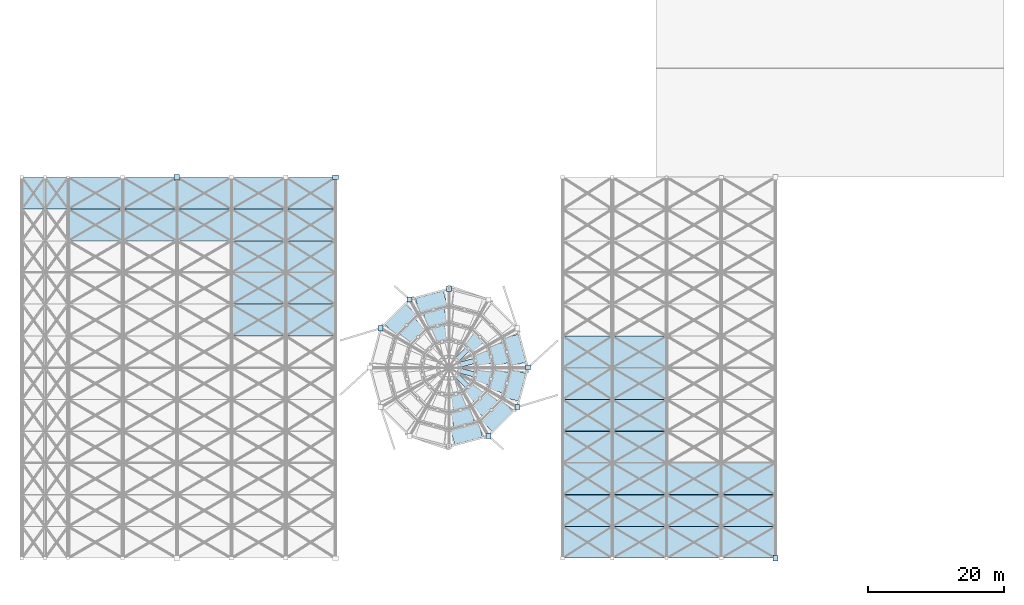
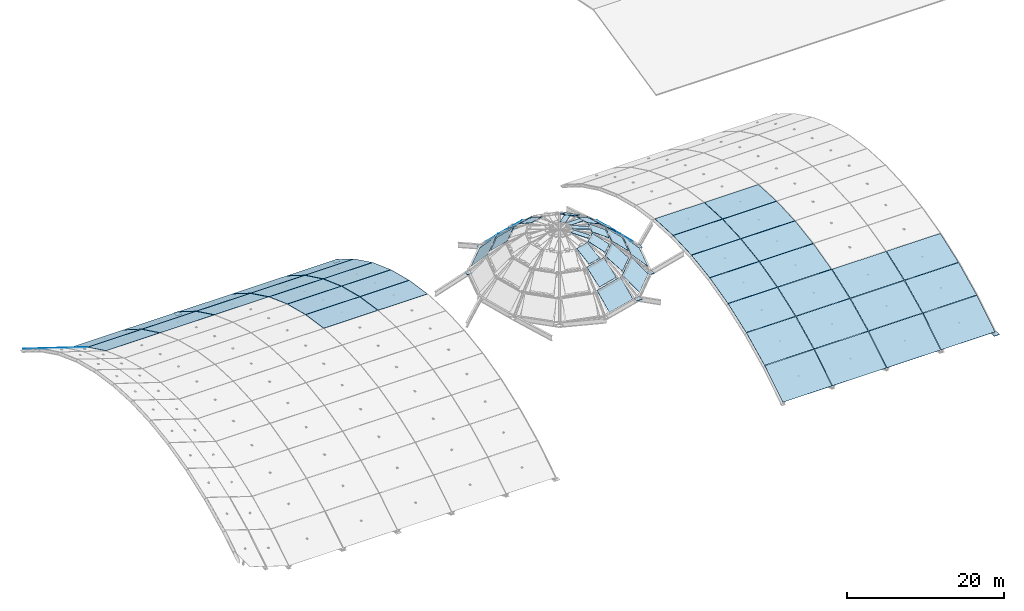
# One storey, part 13 of 21: 69 plates.
"""IFC4 building model written with IfcOpenShell, lengths in metres."""

from ifc_helpers import new_model, si_unit, direction, frame, origin, origin_2d, place, context, subcontext, project, spatial, polyline, rectangle, outline, extrude, material, layer, layer_set, type_object, element, save


model = new_model("IFC4")

# Units and contexts
model_context = context("Model", 3, precision=1e-05, world=origin(), true_north=direction((0.0, 1.0)))
body_context = subcontext(model_context, "Body", "Model", "MODEL_VIEW")
ifc_project = project(units=[si_unit("LENGTHUNIT", "METRE"), si_unit("AREAUNIT", "SQUARE_METRE"), si_unit("VOLUMEUNIT", "CUBIC_METRE"), si_unit("PLANEANGLEUNIT", "RADIAN"), si_unit("MASSUNIT", "GRAM", prefix="KILO")], contexts=[model_context])

# Site, building, storey
site_placement = place(None, origin())
site = spatial("IfcSite", under=ifc_project, at=site_placement, CompositionType="ELEMENT")
building_placement = place(site_placement, origin())
building = spatial("IfcBuilding", under=site, at=building_placement, Name="Solmirada Galleria", CompositionType="ELEMENT")
storey_placement = place(building_placement, frame((0.0, 0.0, 37.5)))
storey = spatial("IfcBuildingStorey", under=building, at=storey_placement, Name="RF", CompositionType="ELEMENT", Elevation=37.5)

# Plates
ifc_material_1 = material(Name="Steel S355 / ASTM A572 Grade 50", Category="steel")
ifc_layer_1 = layer(ifc_material_1, 0.044921875)
ifc_layer_set_1 = layer_set([ifc_layer_1], Name="Steel S355 / ASTM A572 Grade 50")
plate_type_1 = type_object("IfcPlateType", Name="PLT-DOME-SHOE", PredefinedType="SHEET", material=ifc_layer_set_1)
for number, where, z_axis, x_axis, name in (
    (1, (107.60009765625, 60.0, -0.0224609375), (0.0, 0.0, 1.0), (1.0, 0.0, 0.0), "Atrium dome ring shoe node plate 1"),
    (2, (96.0, 71.60009765625, -0.0224609375), (0.0, 0.0, 1.0), (1.0, 0.0, 0.0), "Atrium dome ring shoe node plate 4"),
    (3, (90.199951171875, 70.0458984375, -0.0224609375), (0.0, 0.0, 1.0), (1.0, 0.0, 0.0), "Atrium dome ring shoe node plate 5"),
    (4, (85.9541015625, 65.800048828125, -0.0224609375), (0.0, 0.0, 1.0), (1.0, 0.0, 0.0), "Atrium dome ring shoe node plate 6"),
    (5, (101.800048828125, 49.9541015625, -0.0224609375), (0.0, 0.0, 1.0), (1.0, 0.0, 0.0), "Atrium dome ring shoe node plate 11"),
    (6, (106.0458984375, 54.199951171875, -0.0224609375), (0.0, 0.0, 1.0), (1.0, 0.0, 0.0), "Atrium dome ring shoe node plate 12"),
):
    element("IfcPlate", number, at=place(storey_placement, frame(where, z_axis=z_axis, x_axis=x_axis)), inside=storey, type_object=plate_type_1, Name=name, PredefinedType="SHEET", context=body_context, shape_type="SweptSolid", body=[
        extrude(rectangle(XDim=0.75, YDim=0.75, at=origin_2d()), origin(), (0.0, 0.0, 1.0), 0.044921875),
    ])
ifc_material_2 = material(Name="Laminated solar-control skylight glass", Category="glass")
ifc_layer_2 = layer(ifc_material_2, 0.028076171875)
ifc_layer_set_2 = layer_set([ifc_layer_2], Name="Laminated solar-control skylight glass")
plate_type_2 = type_object("IfcPlateType", Name="PLT-DPANEL-R1", PredefinedType="SHEET", material=ifc_layer_set_2)
for number, where, z_axis, x_axis, name in (
    (7, (107.302001953125, 60.83251953125, 0.3544921875), (0.693897378358, 0.185918524218, 0.695658487091), (-0.258805124756, 0.965929556127, 0.0), "Atrium dome glass skylight panel 1.1"),
    (8, (95.16748046875, 71.302001953125, 0.3544921875), (-0.185918524218, 0.693897378358, 0.695658487091), (-0.965929556127, -0.258805124756, 0.0), "Atrium dome glass skylight panel 4.1"),
):
    element("IfcPlate", number, at=place(storey_placement, frame(where, z_axis=z_axis, x_axis=x_axis)), inside=storey, type_object=plate_type_2, Name=name, PredefinedType="SHEET", context=body_context, shape_type="SweptSolid", body=[
        extrude(outline(polyline([(0.0, 0.0), (4.242189530289588, 1.1102230246251565e-16), (4.242052383909518, 3.2551056819344444), (-0.000137146380070563, 3.2551056819344444), (0.0, 0.0)])), origin(), (0.0, 0.0, -1.0), 0.028076171875),
    ])
plate_1_placement = place(storey_placement, frame((89.6279296875, 69.37158203125, 0.3544921875), z_axis=(-0.507967085106, 0.507967085106, 0.695657157584), x_axis=(-0.707106781187, -0.707106781187, 0.0)))
element("IfcPlate", 9, at=plate_1_placement, inside=storey, type_object=plate_type_2, Name="Atrium dome glass skylight panel 5.1", PredefinedType="SHEET", context=body_context, shape_type="SweptSolid", body=[
    extrude(outline(polyline([(0.0, 0.0), (4.241950153153283, 0.0), (4.242122786644784, 3.255099848147518), (-0.0001726334915006511, 3.255099848147518), (0.0, 0.0)])), origin(), (0.0, 0.0, -1.0), 0.028076171875),
])
plate_2_placement = place(storey_placement, frame((96.83251953125, 48.697998046875, 0.3544921875), z_axis=(0.185918524218, -0.693897378358, 0.695658487091), x_axis=(0.965929556127, 0.258805124756, 0.0)))
element("IfcPlate", 10, at=plate_2_placement, inside=storey, type_object=plate_type_2, Name="Atrium dome glass skylight panel 10.1", PredefinedType="SHEET", context=body_context, shape_type="SweptSolid", body=[
    extrude(outline(polyline([(0.0, 0.0), (4.242189530289588, 1.1102230246251565e-16), (4.242052383909518, 3.2551056819344444), (-0.000137146380070563, 3.2551056819344444), (0.0, 0.0)])), origin(), (0.0, 0.0, -1.0), 0.028076171875),
])
plate_3_placement = place(storey_placement, frame((102.3720703125, 50.62841796875, 0.3544921875), z_axis=(0.507967085106, -0.507967085106, 0.695657157584), x_axis=(0.707106781187, 0.707106781187, 0.0)))
element("IfcPlate", 11, at=plate_3_placement, inside=storey, type_object=plate_type_2, Name="Atrium dome glass skylight panel 11.1", PredefinedType="SHEET", context=body_context, shape_type="SweptSolid", body=[
    extrude(outline(polyline([(0.0, 0.0), (4.241950153153283, 0.0), (4.242122786644784, 3.255099848147518), (-0.0001726334915006511, 3.255099848147518), (0.0, 0.0)])), origin(), (0.0, 0.0, -1.0), 0.028076171875),
])
plate_4_placement = place(storey_placement, frame((106.2041015625, 55.06982421875, 0.3544921875), z_axis=(0.693897378358, -0.185918524218, 0.695658487091), x_axis=(0.258805124756, 0.965929556127, 0.0)))
element("IfcPlate", 12, at=plate_4_placement, inside=storey, type_object=plate_type_2, Name="Atrium dome glass skylight panel 12.1", PredefinedType="SHEET", context=body_context, shape_type="SweptSolid", body=[
    extrude(outline(polyline([(0.0, 0.0), (4.242189530289588, -1.1102230246251565e-16), (4.242326676669658, 3.2551056819344444), (0.000137146380070563, 3.2551056819344444), (0.0, 0.0)])), origin(), (0.0, 0.0, -1.0), 0.028076171875),
])
ifc_layer_3 = layer(ifc_material_2, 0.032958984375)
ifc_layer_set_3 = layer_set([ifc_layer_3], Name="Laminated solar-control skylight glass")
plate_type_3 = type_object("IfcPlateType", Name="PLT-DPANEL-R2", PredefinedType="SHEET", material=ifc_layer_set_3)
for number, where, z_axis, x_axis, name in (
    (13, (104.82470703125, 60.77001953125, 2.830810546875), (0.636223658737, 0.170442686833, 0.752441855939), (-0.258766792197, 0.965939825885, -5.082056e-06), "Atrium dome glass skylight panel 1.2"),
    (14, (95.22998046875, 68.82470703125, 2.830810546875), (-0.170442686833, 0.636223658737, 0.752441855939), (-0.965939825885, -0.258766792197, -5.082056e-06), "Atrium dome glass skylight panel 4.2"),
):
    element("IfcPlate", number, at=place(storey_placement, frame(where, z_axis=z_axis, x_axis=x_axis)), inside=storey, type_object=plate_type_3, Name=name, PredefinedType="SHEET", context=body_context, shape_type="SweptSolid", body=[
        extrude(outline(polyline([(0.0, 0.0), (3.0805049253922, 0.0), (3.0802678424148207, 3.009439420255352), (-1.2578245754233157e-06, 3.0093918851645194), (0.0, 0.0)])), origin(), (0.0, 0.0, -1.0), 0.032958984375),
    ])
plate_5_placement = place(storey_placement, frame((90.920654296875, 67.257568359375, 2.830810546875), z_axis=(-0.465719212417, 0.465719212417, 0.752470086031), x_axis=(-0.707106781187, -0.707106781187, 0.0)))
element("IfcPlate", 15, at=plate_5_placement, inside=storey, type_object=plate_type_3, Name="Atrium dome glass skylight panel 5.2", PredefinedType="SHEET", context=body_context, shape_type="SweptSolid", body=[
    extrude(outline(polyline([(0.0, 0.0), (3.0804720223370983, 0.0), (3.0804720223370983, 3.009563015920233), (0.0, 3.0095630159202336), (0.0, 0.0)])), origin(), (0.0, 0.0, -1.0), 0.032958984375),
])
plate_6_placement = place(storey_placement, frame((96.77001953125, 51.17529296875, 2.830810546875), z_axis=(0.170442686833, -0.636223658737, 0.752441855939), x_axis=(0.965939825885, 0.258766792197, -5.082056e-06)))
element("IfcPlate", 16, at=plate_6_placement, inside=storey, type_object=plate_type_3, Name="Atrium dome glass skylight panel 10.2", PredefinedType="SHEET", context=body_context, shape_type="SweptSolid", body=[
    extrude(outline(polyline([(0.0, 0.0), (3.0805049253922, 0.0), (3.0802678424148207, 3.009439420255352), (-1.2578245754233157e-06, 3.0093918851645194), (0.0, 0.0)])), origin(), (0.0, 0.0, -1.0), 0.032958984375),
])
plate_7_placement = place(storey_placement, frame((101.079345703125, 52.742431640625, 2.830810546875), z_axis=(0.465719212417, -0.465719212417, 0.752470086031), x_axis=(0.707106781187, 0.707106781187, 0.0)))
element("IfcPlate", 17, at=plate_7_placement, inside=storey, type_object=plate_type_3, Name="Atrium dome glass skylight panel 11.2", PredefinedType="SHEET", context=body_context, shape_type="SweptSolid", body=[
    extrude(outline(polyline([(0.0, 0.0), (3.0804720223370983, 0.0), (3.0804720223370983, 3.009563015920233), (0.0, 3.0095630159202336), (0.0, 0.0)])), origin(), (0.0, 0.0, -1.0), 0.032958984375),
])
plate_8_placement = place(storey_placement, frame((104.027587890625, 56.25439453125, 2.830810546875), z_axis=(0.636223658737, -0.170442686833, 0.752441855939), x_axis=(0.258766792197, 0.965939825885, 5.082056e-06)))
element("IfcPlate", 18, at=plate_8_placement, inside=storey, type_object=plate_type_3, Name="Atrium dome glass skylight panel 12.2", PredefinedType="SHEET", context=body_context, shape_type="SweptSolid", body=[
    extrude(outline(polyline([(0.0, 0.0), (3.0805049253922, 0.0), (3.0805061832167757, 3.0093918851645194), (0.00023708297737938232, 3.009439420255352), (0.0, 0.0)])), origin(), (0.0, 0.0, -1.0), 0.032958984375),
])
ifc_layer_4 = layer(ifc_material_2, 0.0380859375)
ifc_layer_set_4 = layer_set([ifc_layer_4], Name="Laminated solar-control skylight glass")
plate_type_4 = type_object("IfcPlateType", Name="PLT-DPANEL-R3", PredefinedType="SHEET", material=ifc_layer_set_4)
plate_9_placement = place(storey_placement, frame((102.34765625, 60.707763671875, 4.91845703125), z_axis=(0.487665865111, 0.13064600971, 0.863199643276), x_axis=(-0.25883139858, 0.965922515503, 3.3961514e-05)))
element("IfcPlate", 19, at=plate_9_placement, inside=storey, type_object=plate_type_4, Name="Atrium dome glass skylight panel 1.3", PredefinedType="SHEET", context=body_context, shape_type="SweptSolid", body=[
    extrude(outline(polyline([(0.0, 0.0), (1.9184118548290667, 1.1102230246251565e-16), (1.91861710480146, 2.6232828381809776), (3.262030517581825e-05, 2.6235409483535044), (0.0, 0.0)])), origin(), (0.0, 0.0, -1.0), 0.0380859375),
])
plate_10_placement = place(storey_placement, frame((101.143310546875, 63.78662109375, 4.91845703125), z_axis=(0.357002984323, 0.357002984323, 0.863190441542), x_axis=(-0.707106781187, 0.707106781187, 0.0)))
element("IfcPlate", 20, at=plate_10_placement, inside=storey, type_object=plate_type_4, Name="Atrium dome glass skylight panel 2.3", PredefinedType="SHEET", context=body_context, shape_type="SweptSolid", body=[
    extrude(outline(polyline([(0.0, 0.0), (1.9186486245379126, 0.0), (1.918475991046412, 2.623330147133177), (0.0001726334915006511, 2.6233301471331765), (0.0, 0.0)])), origin(), (0.0, 0.0, -1.0), 0.0380859375),
])
for number, where, z_axis, x_axis, name in (
    (21, (95.292236328125, 66.34765625, 4.91845703125), (-0.13064600971, 0.487665865111, 0.863199643276), (-0.965922515503, -0.25883139858, 3.3961514e-05), "Atrium dome glass skylight panel 4.3"),
    (22, (96.707763671875, 53.65234375, 4.91845703125), (0.13064600971, -0.487665865111, 0.863199643276), (0.965922515503, 0.25883139858, 3.3961514e-05), "Atrium dome glass skylight panel 10.3"),
):
    element("IfcPlate", number, at=place(storey_placement, frame(where, z_axis=z_axis, x_axis=x_axis)), inside=storey, type_object=plate_type_4, Name=name, PredefinedType="SHEET", context=body_context, shape_type="SweptSolid", body=[
        extrude(outline(polyline([(0.0, 0.0), (1.9184118548290667, 1.1102230246251565e-16), (1.91861710480146, 2.6232828381809776), (3.262030517581825e-05, 2.6235409483535044), (0.0, 0.0)])), origin(), (0.0, 0.0, -1.0), 0.0380859375),
    ])
plate_11_placement = place(storey_placement, frame((99.78662109375, 54.856689453125, 4.91845703125), z_axis=(0.357002984323, -0.357002984323, 0.863190441542), x_axis=(0.707106781187, 0.707106781187, 0.0)))
element("IfcPlate", 23, at=plate_11_placement, inside=storey, type_object=plate_type_4, Name="Atrium dome glass skylight panel 11.3", PredefinedType="SHEET", context=body_context, shape_type="SweptSolid", body=[
    extrude(outline(polyline([(0.0, 0.0), (1.9186486245379126, 0.0), (1.918475991046412, 2.623330147133177), (0.0001726334915006511, 2.6233301471331765), (0.0, 0.0)])), origin(), (0.0, 0.0, -1.0), 0.0380859375),
])
plate_12_placement = place(storey_placement, frame((101.85107421875, 57.439208984375, 4.91845703125), z_axis=(0.487665865111, -0.13064600971, 0.863199643276), x_axis=(0.25883139858, 0.965922515503, -3.3961514e-05)))
element("IfcPlate", 24, at=plate_12_placement, inside=storey, type_object=plate_type_4, Name="Atrium dome glass skylight panel 12.3", PredefinedType="SHEET", context=body_context, shape_type="SweptSolid", body=[
    extrude(outline(polyline([(0.0, 0.0), (1.9184118548290667, -1.1102230246251565e-16), (1.9183792345238908, 2.6235409483535044), (-0.00020524997239335696, 2.623282838180977), (0.0, 0.0)])), origin(), (0.0, 0.0, -1.0), 0.0380859375),
])
ifc_layer_5 = layer(ifc_material_2, 0.04296875)
ifc_layer_set_5 = layer_set([ifc_layer_5], Name="Laminated solar-control skylight glass")
plate_type_5 = type_object("IfcPlateType", Name="PLT-DPANEL-R4", PredefinedType="SHEET", material=ifc_layer_set_5)
plate_13_placement = place(storey_placement, frame((99.870361328125, 60.6455078125, 6.300048828125), z_axis=(0.194314215218, 0.052100620686, 0.97955475145), x_axis=(-0.259122473948, 0.965844471202, 3.0711642e-05)))
element("IfcPlate", 25, at=plate_13_placement, inside=storey, type_object=plate_type_5, Name="Atrium dome glass skylight panel 1.4", PredefinedType="SHEET", context=body_context, shape_type="SweptSolid", body=[
    extrude(outline(polyline([(0.0, 0.0), (0.7565546506075288, 2.7755575615628914e-17), (0.7571757869413944, 2.31171007477346), (0.0006843986566068354, 2.3119410552277646), (0.0, 0.0)])), origin(), (0.0, 0.0, -1.0), 0.04296875),
])
for number, where, z_axis, x_axis, name in (
    (26, (99.029052734375, 62.494140625, 6.300048828125), (0.142251360525, 0.142251360525, 0.979555562925), (-0.707106781187, 0.707106781187, 0.0), "Atrium dome glass skylight panel 2.4"),
    (27, (98.494140625, 56.970947265625, 6.300048828125), (0.142251360525, -0.142251360525, 0.979555562925), (0.707106781187, 0.707106781187, 0.0), "Atrium dome glass skylight panel 11.4"),
):
    element("IfcPlate", number, at=place(storey_placement, frame(where, z_axis=z_axis, x_axis=x_axis)), inside=storey, type_object=plate_type_5, Name=name, PredefinedType="SHEET", context=body_context, shape_type="SweptSolid", body=[
        extrude(outline(polyline([(0.0, 0.0), (0.7564799597557255, 0.0), (0.7564799597557255, 2.3118710435811285), (0.0, 2.3118710435811285), (0.0, 0.0)])), origin(), (0.0, 0.0, -1.0), 0.04296875),
    ])
plate_14_placement = place(storey_placement, frame((99.67431640625, 58.623779296875, 6.300048828125), z_axis=(0.194314215218, -0.052100620686, 0.97955475145), x_axis=(0.259122473948, 0.965844471202, -3.0711642e-05)))
element("IfcPlate", 28, at=plate_14_placement, inside=storey, type_object=plate_type_5, Name="Atrium dome glass skylight panel 12.4", PredefinedType="SHEET", context=body_context, shape_type="SweptSolid", body=[
    extrude(outline(polyline([(0.0, 0.0), (0.7565546506075288, -2.7755575615628914e-17), (0.7558702519509218, 2.311941055227765), (-0.0006211363338656044, 2.31171007477346), (0.0, 0.0)])), origin(), (0.0, 0.0, -1.0), 0.04296875),
])
ifc_layer_6 = layer(ifc_material_1, 0.044921875)
ifc_layer_set_6 = layer_set([ifc_layer_6], Name="Steel S355 / ASTM A572 Grade 50")
plate_type_6 = type_object("IfcPlateType", Name="PLT-NODE-05", PredefinedType="SHEET", material=ifc_layer_set_6)
for number, where, z_axis, x_axis, name in (
    (29, (56.0, 88.0, -9.382568359375), (0.0, 0.0, 1.0), (1.0, 0.0, 0.0), "Barrel vault arch shoe node plate W04-2"),
    (30, (144.0, 32.0, -9.382568359375), (0.0, 0.0, 1.0), (1.0, 0.0, 0.0), "Barrel vault arch shoe node plate E04-1"),
):
    element("IfcPlate", number, at=place(storey_placement, frame(where, z_axis=z_axis, x_axis=x_axis)), inside=storey, type_object=plate_type_6, Name=name, PredefinedType="SHEET", context=body_context, shape_type="SweptSolid", body=[
        extrude(rectangle(XDim=0.800048828125, YDim=0.800048828125, at=origin_2d()), origin(), (0.0, 0.0, 1.0), 0.044921875),
    ])
ifc_layer_7 = layer(ifc_material_1, 0.050048828125)
ifc_layer_set_7 = layer_set([ifc_layer_7], Name="Steel S355 / ASTM A572 Grade 50")
plate_type_7 = type_object("IfcPlateType", Name="PLT-NODE-08", PredefinedType="SHEET", material=ifc_layer_set_7)
plate_15_placement = place(storey_placement, frame((79.300048828125, 88.0, -9.38525390625), z_axis=(0.0, 0.0, 1.0), x_axis=(1.0, 0.0, 0.0)))
element("IfcPlate", 31, at=plate_15_placement, inside=storey, type_object=plate_type_7, Name="Barrel vault arch shoe node plate W07-2", PredefinedType="SHEET", context=body_context, shape_type="SweptSolid", body=[
    extrude(rectangle(XDim=0.89990234375, YDim=0.64990234375, at=origin_2d()), origin(), (0.0, 0.0, 1.0), 0.050048828125),
])
ifc_layer_8 = layer(ifc_material_2, 0.031982421875)
ifc_layer_set_8 = layer_set([ifc_layer_8], Name="Laminated solar-control skylight glass")
plate_type_8 = type_object("IfcPlateType", Name="PLT-VPANEL-00-BAY", PredefinedType="SHEET", material=ifc_layer_set_8)
for number, where, z_axis, x_axis, name in (
    (32, (40.031982421875, 83.35205078125, -6.163330078125), (0.0, 0.530236062005, 0.847850056643), (1.0, 0.0, 0.0), "Barrel gridshell diamond glazing W02-11"),
    (33, (48.031982421875, 83.35205078125, -6.163330078125), (0.0, 0.530236062005, 0.847850056643), (1.0, 0.0, 0.0), "Barrel gridshell diamond glazing W03-11"),
    (34, (56.031982421875, 83.35205078125, -6.163330078125), (0.0, 0.530236062005, 0.847850056643), (1.0, 0.0, 0.0), "Barrel gridshell diamond glazing W04-11"),
    (35, (64.031982421875, 83.35205078125, -6.163330078125), (0.0, 0.530236062005, 0.847850056643), (1.0, 0.0, 0.0), "Barrel gridshell diamond glazing W05-11"),
):
    element("IfcPlate", number, at=place(storey_placement, frame(where, z_axis=z_axis, x_axis=x_axis)), inside=storey, type_object=plate_type_8, Name=name, PredefinedType="SHEET", context=body_context, shape_type="SweptSolid", body=[
        extrude(outline(polyline([(0.0, 0.0), (7.93603515625, 0.0), (7.93603515625, 5.459869176577636), (0.0, 5.459869176577636), (0.0, 0.0)])), origin(), (0.0, 0.0, -1.0), 0.031982421875),
    ])
for number, where, z_axis, x_axis, name in (
    (36, (72.029296875, 83.35205078125, -6.163330078125), (0.0, 0.530236062005, 0.847850056643), (1.0, 0.0, 0.0), "Barrel gridshell diamond glazing W06-11"),
    (37, (112.729248046875, 32.018798828125, -9.058349609375), (0.0, -0.530236062005, 0.847850056643), (1.0, 0.0, 0.0), "Barrel gridshell diamond glazing E00-00"),
):
    element("IfcPlate", number, at=place(storey_placement, frame(where, z_axis=z_axis, x_axis=x_axis)), inside=storey, type_object=plate_type_8, Name=name, PredefinedType="SHEET", context=body_context, shape_type="SweptSolid", body=[
        extrude(outline(polyline([(0.0, 0.0), (7.241455078125, 0.0), (7.241455078125, 5.459869176577636), (0.0, 5.459869176577636), (0.0, 0.0)])), origin(), (0.0, 0.0, -1.0), 0.031982421875),
    ])
for number, where, z_axis, x_axis, name in (
    (38, (120.031982421875, 32.018798828125, -9.058349609375), (0.0, -0.530236062005, 0.847850056643), (1.0, 0.0, 0.0), "Barrel gridshell diamond glazing E01-00"),
    (39, (128.031982421875, 32.018798828125, -9.058349609375), (0.0, -0.530236062005, 0.847850056643), (1.0, 0.0, 0.0), "Barrel gridshell diamond glazing E02-00"),
    (40, (136.031982421875, 32.018798828125, -9.058349609375), (0.0, -0.530236062005, 0.847850056643), (1.0, 0.0, 0.0), "Barrel gridshell diamond glazing E03-00"),
):
    element("IfcPlate", number, at=place(storey_placement, frame(where, z_axis=z_axis, x_axis=x_axis)), inside=storey, type_object=plate_type_8, Name=name, PredefinedType="SHEET", context=body_context, shape_type="SweptSolid", body=[
        extrude(outline(polyline([(0.0, 0.0), (7.93603515625, 0.0), (7.93603515625, 5.459869176577636), (0.0, 5.459869176577636), (0.0, 0.0)])), origin(), (0.0, 0.0, -1.0), 0.031982421875),
    ])
ifc_layer_9 = layer(ifc_material_2, 0.031982421875)
ifc_layer_set_9 = layer_set([ifc_layer_9], Name="Laminated solar-control skylight glass")
plate_type_9 = type_object("IfcPlateType", Name="PLT-VPANEL-00-CAN", PredefinedType="SHEET", material=ifc_layer_set_9)
plate_16_placement = place(storey_placement, frame((33.213623046875, 83.35205078125, -3.9677734375), z_axis=(0.264502037964, 0.511351771648, 0.817653983996), x_axis=(0.951455789712, 0.0, -0.307785445112)))
element("IfcPlate", 41, at=plate_16_placement, inside=storey, type_object=plate_type_9, Name="Barrel gridshell diamond glazing W00-11", PredefinedType="SHEET", context=body_context, shape_type="SweptSolid", body=[
    extrude(outline(polyline([(0.0, 0.0), (3.5448864475297985, -1.1102230246251565e-16), (4.435931322563958, 5.3866696999183015), (0.8910448750341596, 5.3866696999183015), (0.0, 0.0)])), origin(), (0.0, 0.0, -1.0), 0.031982421875),
])
plate_17_placement = place(storey_placement, frame((36.613525390625, 83.35205078125, -5.067626953125), z_axis=(0.2645570819, 0.511343765828, 0.81764118265), x_axis=(0.951435619559, 0.0, -0.307847790042)))
element("IfcPlate", 42, at=plate_17_placement, inside=storey, type_object=plate_type_9, Name="Barrel gridshell diamond glazing W01-11", PredefinedType="SHEET", context=body_context, shape_type="SweptSolid", body=[
    extrude(outline(polyline([(0.0, 0.0), (3.5449615980712794, 0.0), (4.436186962895019, 5.386639840794756), (0.8912253648237394, 5.386639840794756), (0.0, 0.0)])), origin(), (0.0, 0.0, -1.0), 0.031982421875),
])
ifc_layer_10 = layer(ifc_material_2, 0.033935546875)
ifc_layer_set_10 = layer_set([ifc_layer_10], Name="Laminated solar-control skylight glass")
plate_type_10 = type_object("IfcPlateType", Name="PLT-VPANEL-01-BAY", PredefinedType="SHEET", material=ifc_layer_set_10)
for number, where, z_axis, x_axis, name in (
    (43, (40.031982421875, 78.685302734375, -3.8916015625), (0.0, 0.437283282733, 0.899323818567), (1.0, 0.0, 0.0), "Barrel gridshell diamond glazing W02-10"),
    (44, (48.031982421875, 78.685302734375, -3.8916015625), (0.0, 0.437283282733, 0.899323818567), (1.0, 0.0, 0.0), "Barrel gridshell diamond glazing W03-10"),
    (45, (56.031982421875, 78.685302734375, -3.8916015625), (0.0, 0.437283282733, 0.899323818567), (1.0, 0.0, 0.0), "Barrel gridshell diamond glazing W04-10"),
    (46, (64.031982421875, 78.685302734375, -3.8916015625), (0.0, 0.437283282733, 0.899323818567), (1.0, 0.0, 0.0), "Barrel gridshell diamond glazing W05-10"),
):
    element("IfcPlate", number, at=place(storey_placement, frame(where, z_axis=z_axis, x_axis=x_axis)), inside=storey, type_object=plate_type_10, Name=name, PredefinedType="SHEET", context=body_context, shape_type="SweptSolid", body=[
        extrude(outline(polyline([(0.0, 0.0), (7.93603515625, 0.0), (7.93603515625, 5.147639188102807), (0.0, 5.147639188102807), (0.0, 0.0)])), origin(), (0.0, 0.0, -1.0), 0.033935546875),
    ])
for number, where, z_axis, x_axis, name in (
    (47, (72.029296875, 78.685302734375, -3.8916015625), (0.0, 0.437283282733, 0.899323818567), (1.0, 0.0, 0.0), "Barrel gridshell diamond glazing W06-10"),
    (48, (112.729248046875, 36.685302734375, -6.142578125), (0.0, -0.437283282733, 0.899323818567), (1.0, 0.0, 0.0), "Barrel gridshell diamond glazing E00-01"),
):
    element("IfcPlate", number, at=place(storey_placement, frame(where, z_axis=z_axis, x_axis=x_axis)), inside=storey, type_object=plate_type_10, Name=name, PredefinedType="SHEET", context=body_context, shape_type="SweptSolid", body=[
        extrude(outline(polyline([(0.0, 0.0), (7.241455078125, 0.0), (7.241455078125, 5.147639188102807), (0.0, 5.147639188102807), (0.0, 0.0)])), origin(), (0.0, 0.0, -1.0), 0.033935546875),
    ])
for number, where, z_axis, x_axis, name in (
    (49, (120.031982421875, 36.685302734375, -6.142578125), (0.0, -0.437283282733, 0.899323818567), (1.0, 0.0, 0.0), "Barrel gridshell diamond glazing E01-01"),
    (50, (128.031982421875, 36.685302734375, -6.142578125), (0.0, -0.437283282733, 0.899323818567), (1.0, 0.0, 0.0), "Barrel gridshell diamond glazing E02-01"),
    (51, (136.031982421875, 36.685302734375, -6.142578125), (0.0, -0.437283282733, 0.899323818567), (1.0, 0.0, 0.0), "Barrel gridshell diamond glazing E03-01"),
):
    element("IfcPlate", number, at=place(storey_placement, frame(where, z_axis=z_axis, x_axis=x_axis)), inside=storey, type_object=plate_type_10, Name=name, PredefinedType="SHEET", context=body_context, shape_type="SweptSolid", body=[
        extrude(outline(polyline([(0.0, 0.0), (7.93603515625, 0.0), (7.93603515625, 5.147639188102807), (0.0, 5.147639188102807), (0.0, 0.0)])), origin(), (0.0, 0.0, -1.0), 0.033935546875),
    ])
ifc_layer_11 = layer(ifc_material_2, 0.035888671875)
ifc_layer_set_11 = layer_set([ifc_layer_11], Name="Laminated solar-control skylight glass")
plate_type_11 = type_object("IfcPlateType", Name="PLT-VPANEL-02-BAY", PredefinedType="SHEET", material=ifc_layer_set_11)
plate_18_placement = place(storey_placement, frame((64.031982421875, 74.018798828125, -2.188720703125), z_axis=(0.0, 0.342359685666, 0.939568968001), x_axis=(1.0, 0.0, 0.0)))
element("IfcPlate", 52, at=plate_18_placement, inside=storey, type_object=plate_type_11, Name="Barrel gridshell diamond glazing W05-09", PredefinedType="SHEET", context=body_context, shape_type="SweptSolid", body=[
    extrude(outline(polyline([(0.0, 0.0), (7.93603515625, 0.0), (7.93603515625, 4.926887273079958), (0.0, 4.926887273079958), (0.0, 0.0)])), origin(), (0.0, 0.0, -1.0), 0.035888671875),
])
for number, where, z_axis, x_axis, name in (
    (53, (72.029296875, 74.018798828125, -2.188720703125), (0.0, 0.342359685666, 0.939568968001), (1.0, 0.0, 0.0), "Barrel gridshell diamond glazing W06-09"),
    (54, (112.729248046875, 41.35205078125, -3.87548828125), (0.0, -0.342359685666, 0.939568968001), (1.0, 0.0, 0.0), "Barrel gridshell diamond glazing E00-02"),
):
    element("IfcPlate", number, at=place(storey_placement, frame(where, z_axis=z_axis, x_axis=x_axis)), inside=storey, type_object=plate_type_11, Name=name, PredefinedType="SHEET", context=body_context, shape_type="SweptSolid", body=[
        extrude(outline(polyline([(0.0, 0.0), (7.241455078125, 0.0), (7.241455078125, 4.926887273079958), (0.0, 4.926887273079958), (0.0, 0.0)])), origin(), (0.0, 0.0, -1.0), 0.035888671875),
    ])
for number, where, z_axis, x_axis, name in (
    (55, (120.031982421875, 41.35205078125, -3.87548828125), (0.0, -0.342359685666, 0.939568968001), (1.0, 0.0, 0.0), "Barrel gridshell diamond glazing E01-02"),
    (56, (128.031982421875, 41.35205078125, -3.87548828125), (0.0, -0.342359685666, 0.939568968001), (1.0, 0.0, 0.0), "Barrel gridshell diamond glazing E02-02"),
    (57, (136.031982421875, 41.35205078125, -3.87548828125), (0.0, -0.342359685666, 0.939568968001), (1.0, 0.0, 0.0), "Barrel gridshell diamond glazing E03-02"),
):
    element("IfcPlate", number, at=place(storey_placement, frame(where, z_axis=z_axis, x_axis=x_axis)), inside=storey, type_object=plate_type_11, Name=name, PredefinedType="SHEET", context=body_context, shape_type="SweptSolid", body=[
        extrude(outline(polyline([(0.0, 0.0), (7.93603515625, 0.0), (7.93603515625, 4.926887273079958), (0.0, 4.926887273079958), (0.0, 0.0)])), origin(), (0.0, 0.0, -1.0), 0.035888671875),
    ])
ifc_layer_12 = layer(ifc_material_2, 0.0380859375)
ifc_layer_set_12 = layer_set([ifc_layer_12], Name="Laminated solar-control skylight glass")
plate_type_12 = type_object("IfcPlateType", Name="PLT-VPANEL-03-BAY", PredefinedType="SHEET", material=ifc_layer_set_12)
plate_19_placement = place(storey_placement, frame((64.031982421875, 69.35205078125, -1.003662109375), z_axis=(0.0, 0.245745993637, 0.969334259485), x_axis=(1.0, 0.0, 0.0)))
element("IfcPlate", 58, at=plate_19_placement, inside=storey, type_object=plate_type_12, Name="Barrel gridshell diamond glazing W05-08", PredefinedType="SHEET", context=body_context, shape_type="SweptSolid", body=[
    extrude(outline(polyline([(0.0, 0.0), (7.93603515625, 0.0), (7.93603515625, 4.775597628297959), (0.0, 4.775597628297959), (0.0, 0.0)])), origin(), (0.0, 0.0, -1.0), 0.0380859375),
])
for number, where, z_axis, x_axis, name in (
    (59, (72.029296875, 69.35205078125, -1.003662109375), (0.0, 0.245745993637, 0.969334259485), (1.0, 0.0, 0.0), "Barrel gridshell diamond glazing W06-08"),
    (60, (112.729248046875, 46.018798828125, -2.17724609375), (0.0, -0.245745993637, 0.969334259485), (1.0, 0.0, 0.0), "Barrel gridshell diamond glazing E00-03"),
):
    element("IfcPlate", number, at=place(storey_placement, frame(where, z_axis=z_axis, x_axis=x_axis)), inside=storey, type_object=plate_type_12, Name=name, PredefinedType="SHEET", context=body_context, shape_type="SweptSolid", body=[
        extrude(outline(polyline([(0.0, 0.0), (7.241455078125, 0.0), (7.241455078125, 4.775597628297959), (0.0, 4.775597628297959), (0.0, 0.0)])), origin(), (0.0, 0.0, -1.0), 0.0380859375),
    ])
plate_20_placement = place(storey_placement, frame((120.031982421875, 46.018798828125, -2.17724609375), z_axis=(0.0, -0.245745993637, 0.969334259485), x_axis=(1.0, 0.0, 0.0)))
element("IfcPlate", 61, at=plate_20_placement, inside=storey, type_object=plate_type_12, Name="Barrel gridshell diamond glazing E01-03", PredefinedType="SHEET", context=body_context, shape_type="SweptSolid", body=[
    extrude(outline(polyline([(0.0, 0.0), (7.93603515625, 0.0), (7.93603515625, 4.775597628297959), (0.0, 4.775597628297959), (0.0, 0.0)])), origin(), (0.0, 0.0, -1.0), 0.0380859375),
])
ifc_layer_13 = layer(ifc_material_2, 0.0400390625)
ifc_layer_set_13 = layer_set([ifc_layer_13], Name="Laminated solar-control skylight glass")
plate_type_13 = type_object("IfcPlateType", Name="PLT-VPANEL-04-BAY", PredefinedType="SHEET", material=ifc_layer_set_13)
plate_21_placement = place(storey_placement, frame((64.031982421875, 64.685302734375, -0.3037109375), z_axis=(0.0, 0.147917062763, 0.988999768728), x_axis=(1.0, 0.0, 0.0)))
element("IfcPlate", 62, at=plate_21_placement, inside=storey, type_object=plate_type_13, Name="Barrel gridshell diamond glazing W05-07", PredefinedType="SHEET", context=body_context, shape_type="SweptSolid", body=[
    extrude(outline(polyline([(0.0, 0.0), (7.93603515625, 0.0), (7.93603515625, 4.680885352688401), (0.0, 4.680885352688401), (0.0, 0.0)])), origin(), (0.0, 0.0, -1.0), 0.0400390625),
])
for number, where, z_axis, x_axis, name in (
    (63, (72.029296875, 64.685302734375, -0.3037109375), (0.0, 0.147917062763, 0.988999768728), (1.0, 0.0, 0.0), "Barrel gridshell diamond glazing W06-07"),
    (64, (112.729248046875, 50.685302734375, -0.99609375), (0.0, -0.147917062763, 0.988999768728), (1.0, 0.0, 0.0), "Barrel gridshell diamond glazing E00-04"),
):
    element("IfcPlate", number, at=place(storey_placement, frame(where, z_axis=z_axis, x_axis=x_axis)), inside=storey, type_object=plate_type_13, Name=name, PredefinedType="SHEET", context=body_context, shape_type="SweptSolid", body=[
        extrude(outline(polyline([(0.0, 0.0), (7.241455078125, 0.0), (7.241455078125, 4.680885352688401), (0.0, 4.680885352688401), (0.0, 0.0)])), origin(), (0.0, 0.0, -1.0), 0.0400390625),
    ])
plate_22_placement = place(storey_placement, frame((120.031982421875, 50.685302734375, -0.99609375), z_axis=(0.0, -0.147917062763, 0.988999768728), x_axis=(1.0, 0.0, 0.0)))
element("IfcPlate", 65, at=plate_22_placement, inside=storey, type_object=plate_type_13, Name="Barrel gridshell diamond glazing E01-04", PredefinedType="SHEET", context=body_context, shape_type="SweptSolid", body=[
    extrude(outline(polyline([(0.0, 0.0), (7.93603515625, 0.0), (7.93603515625, 4.680885352688401), (0.0, 4.680885352688401), (0.0, 0.0)])), origin(), (0.0, 0.0, -1.0), 0.0400390625),
])
ifc_layer_14 = layer(ifc_material_2, 0.0419921875)
ifc_layer_set_14 = layer_set([ifc_layer_14], Name="Laminated solar-control skylight glass")
plate_type_14 = type_object("IfcPlateType", Name="PLT-VPANEL-05-BAY", PredefinedType="SHEET", material=ifc_layer_set_14)
for number, where, z_axis, x_axis, name in (
    (66, (112.729248046875, 55.35205078125, -0.2998046875), (0.0, -0.049409542181, 0.998778602665), (1.0, 0.0, 0.0), "Barrel gridshell diamond glazing E00-05"),
    (67, (112.729248046875, 60.018798828125, -0.07080078125), (0.0, 0.049409542181, 0.998778602665), (1.0, 0.0, 0.0), "Barrel gridshell diamond glazing E00-06"),
):
    element("IfcPlate", number, at=place(storey_placement, frame(where, z_axis=z_axis, x_axis=x_axis)), inside=storey, type_object=plate_type_14, Name=name, PredefinedType="SHEET", context=body_context, shape_type="SweptSolid", body=[
        extrude(outline(polyline([(0.0, 0.0), (7.241455078125, 0.0), (7.241455078125, 4.634811336840082), (0.0, 4.634811336840082), (0.0, 0.0)])), origin(), (0.0, 0.0, -1.0), 0.0419921875),
    ])
for number, where, z_axis, x_axis, name in (
    (68, (120.031982421875, 55.35205078125, -0.2998046875), (0.0, -0.049409542181, 0.998778602665), (1.0, 0.0, 0.0), "Barrel gridshell diamond glazing E01-05"),
    (69, (120.031982421875, 60.018798828125, -0.07080078125), (0.0, 0.049409542181, 0.998778602665), (1.0, 0.0, 0.0), "Barrel gridshell diamond glazing E01-06"),
):
    element("IfcPlate", number, at=place(storey_placement, frame(where, z_axis=z_axis, x_axis=x_axis)), inside=storey, type_object=plate_type_14, Name=name, PredefinedType="SHEET", context=body_context, shape_type="SweptSolid", body=[
        extrude(outline(polyline([(0.0, 0.0), (7.93603515625, 0.0), (7.93603515625, 4.634811336840082), (0.0, 4.634811336840082), (0.0, 0.0)])), origin(), (0.0, 0.0, -1.0), 0.0419921875),
    ])

save(model, "model.ifc")
